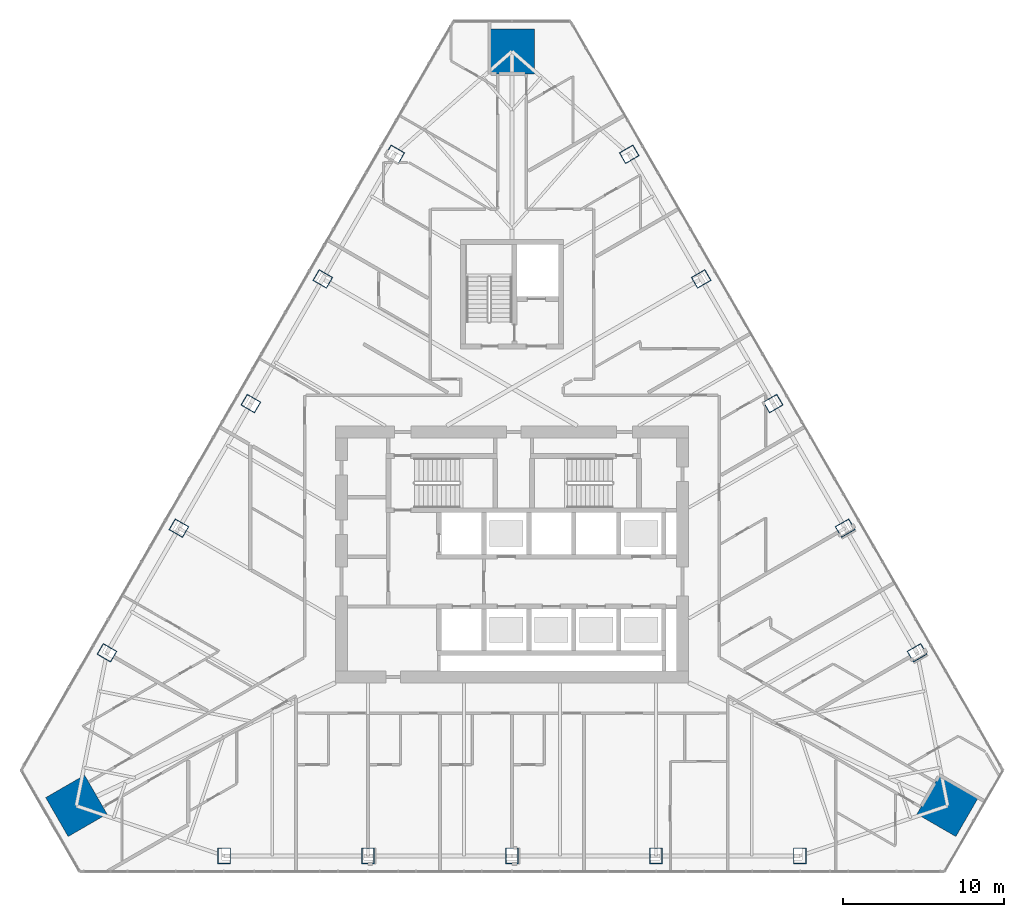
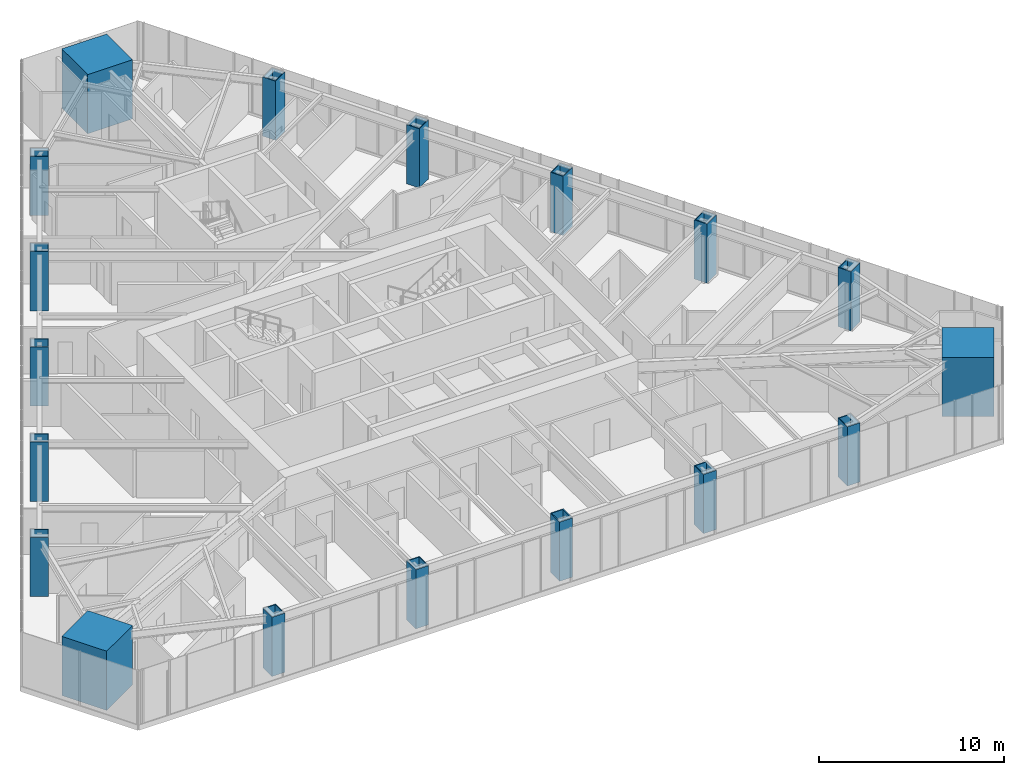
# One storey, part 1 of 26: 18 columns.
"""IFC4 building model written with IfcOpenShell, lengths in metres."""

import ifcopenshell
import ifcopenshell.guid

model = None  # the IFC model being written
_history = None  # IfcOwnerHistory: only IFC2X3 demands one
_inside = {}  # id of a spatial element -> (the spatial element, [elements in it])
_under = {}  # id of a project, library or spatial element -> (it, [spatial elements below it])
_declared = {}  # id of a project -> (the project, [libraries it declares])
_typed = {}  # id of a type object -> (the type object, [elements of that type])
_made_of = {}  # id of a material, layer set ... -> (it, [elements and type objects made of it])


def new_model(schema):
    """Start an empty IFC model of exactly this schema.

    Asked for "IFC4X3", IfcOpenShell would pick the latest addendum, in which some entities
    have other attributes; the version numbers below select the first issue.
    IFC2X3 requires an IfcOwnerHistory on every rooted entity: one is made here for all.
    """
    global model, _history
    if schema == "IFC4X3":
        model = ifcopenshell.file(schema_version=(4, 3, 0, 0))
    else:
        model = ifcopenshell.file(schema=schema)
    _inside.clear()
    _under.clear()
    _declared.clear()
    _typed.clear()
    _made_of.clear()
    _history = None
    if model.schema == "IFC2X3":
        org = make("IfcOrganization", Name="unknown")
        user = make(
            "IfcPersonAndOrganization",
            ThePerson=make("IfcPerson", FamilyName="unknown"),
            TheOrganization=org,
        )
        app = make(
            "IfcApplication",
            ApplicationDeveloper=org,
            Version="unknown",
            ApplicationFullName="unknown",
            ApplicationIdentifier="unknown",
        )
        _history = make(
            "IfcOwnerHistory",
            OwningUser=user,
            OwningApplication=app,
            ChangeAction="ADDED",
            CreationDate=0,
        )
    return model


def make(cls, **values):
    """One entity of the class cls with the attributes given. An attribute that is None is left unset."""
    return model.create_entity(
        cls, **{name: value for name, value in values.items() if value is not None}
    )


def rooted(cls, **values):
    """An entity with a GlobalId (a new one), such as an element, a storey or a relation."""
    return make(cls, GlobalId=ifcopenshell.guid.new(), OwnerHistory=_history, **values)


def si_unit(unit_type, name, prefix=None):
    """IfcSIUnit, for example si_unit("LENGTHUNIT", "METRE", prefix="MILLI")."""
    return make("IfcSIUnit", UnitType=unit_type, Prefix=prefix, Name=name)


def assignment(units):
    """IfcUnitAssignment: the units of a project."""
    return None if units is None else make("IfcUnitAssignment", Units=units)


def point(xyz):
    """IfcCartesianPoint."""
    return None if xyz is None else make("IfcCartesianPoint", Coordinates=xyz)


def direction(xyz):
    """IfcDirection."""
    return None if xyz is None else make("IfcDirection", DirectionRatios=xyz)


def frame(location, z_axis=None, x_axis=None):
    """IfcAxis2Placement3D, a coordinate frame: its origin and axes. An axis left out is left unset."""
    return make(
        "IfcAxis2Placement3D",
        Location=point(location),
        Axis=direction(z_axis),
        RefDirection=direction(x_axis),
    )


def frame_2d(location, x_axis=None):
    """IfcAxis2Placement2D, a coordinate frame in the plane: its origin and x axis."""
    return make(
        "IfcAxis2Placement2D", Location=point(location), RefDirection=direction(x_axis)
    )


def origin():
    """The frame at (0, 0, 0) with its axes left unset."""
    return frame((0.0, 0.0, 0.0))


def origin_2d():
    """The frame at (0, 0) in the plane with its x axis left unset."""
    return frame_2d((0.0, 0.0))


def place(relative_to, where):
    """IfcLocalPlacement: puts the frame where relative to a parent placement (None: the world)."""
    return make(
        "IfcLocalPlacement", PlacementRelTo=relative_to, RelativePlacement=where
    )


def context(
    kind, dimensions, precision=None, world=None, true_north=None, identifier=None
):
    """IfcGeometricRepresentationContext, for example the 3D "Model" context."""
    return make(
        "IfcGeometricRepresentationContext",
        ContextIdentifier=identifier,
        ContextType=kind,
        CoordinateSpaceDimension=dimensions,
        Precision=precision,
        WorldCoordinateSystem=world,
        TrueNorth=true_north,
    )


def subcontext(parent, identifier, kind, view, scale=None):
    """IfcGeometricRepresentationSubContext, for example "Body" below "Model"."""
    return make(
        "IfcGeometricRepresentationSubContext",
        ContextIdentifier=identifier,
        ContextType=kind,
        ParentContext=parent,
        TargetScale=scale,
        TargetView=view,
    )


def project(units=None, contexts=None):
    """IfcProject with its units and contexts."""
    return rooted(
        "IfcProject",
        Name="project",
        RepresentationContexts=contexts,
        UnitsInContext=assignment(units),
    )


def spatial(cls, under=None, at=None, **own):
    """A site, building, storey or space (cls), placed at a placement, below another one or the project."""
    s = rooted(cls, ObjectPlacement=at, **own)
    if under is not None:
        _under.setdefault(under.id(), (under, []))[1].append(s)
    return s


def profile(cls, at=None, kind="AREA", **sizes):
    """A parametric profile (cls). Its sizes go by their IFC names, for example OverallWidth=200.0."""
    return make(cls, ProfileType=kind, Position=at, **sizes)


def rectangle(**sizes):
    """IfcRectangleProfileDef."""
    return profile("IfcRectangleProfileDef", **sizes)


def hollow_rectangle(**sizes):
    """IfcRectangleHollowProfileDef."""
    return profile("IfcRectangleHollowProfileDef", **sizes)


def extrude(swept, where, along, depth):
    """IfcExtrudedAreaSolid: the profile swept, set in the frame where, extruded along a direction by depth."""
    return make(
        "IfcExtrudedAreaSolid",
        SweptArea=swept,
        Position=where,
        ExtrudedDirection=direction(along),
        Depth=depth,
    )


def shape(context_of_items, identifier, shape_type, items):
    """IfcShapeRepresentation: the items that make up one representation, for example the "Body"."""
    return make(
        "IfcShapeRepresentation",
        ContextOfItems=context_of_items,
        RepresentationIdentifier=identifier,
        RepresentationType=shape_type,
        Items=items,
    )


def material(Name=None, Category=None):
    """IfcMaterial."""
    return make("IfcMaterial", Name=Name, Category=Category)


def material_profile(
    of_material, cross_section, Name=None, Category=None, Priority=None
):
    """IfcMaterialProfile: a cross section and its material."""
    return make(
        "IfcMaterialProfile",
        Name=Name,
        Material=of_material,
        Profile=cross_section,
        Priority=Priority,
        Category=Category,
    )


def profile_set(profiles, Name=None, composite=None):
    """IfcMaterialProfileSet."""
    return make(
        "IfcMaterialProfileSet",
        Name=Name,
        MaterialProfiles=profiles,
        CompositeProfile=composite,
    )


def made_of(thing, what):
    """Note that an element or type object is made of a material, layer set ...; save() writes the relation."""
    if what is not None:
        _made_of.setdefault(what.id(), (what, []))[1].append(thing)
    return thing


def type_object(cls, material=None, **own):
    """A type object (cls), such as IfcWallType, which elements share."""
    return made_of(rooted(cls, **own), material)


def element(
    cls,
    number,
    at=None,
    inside=None,
    cuts=None,
    type_object=None,
    material=None,
    context=None,
    identifier="Body",
    shape_type=None,
    held_by="IfcProductDefinitionShape",
    body=None,
    shapes=None,
    **own,
):
    """One element of the class cls, such as IfcWall. Its Tag is "e" and its number.

    at: its placement. inside: the storey or other place that contains it. cuts: it is an
    opening in that element (IfcRelVoidsElement). A single representation is given by context,
    identifier, shape_type and body (its items); several are given by shapes. held_by: the class
    of the entity that holds the representations. save() writes the other relations.
    """
    e = rooted(cls, Tag="e%d" % number, ObjectPlacement=at, **own)
    if body is not None:
        shapes = [shape(context, identifier, shape_type, body)]
    if shapes is not None:
        e.Representation = make(held_by, Representations=shapes)
    if inside is not None:
        _inside.setdefault(inside.id(), (inside, []))[1].append(e)
    if cuts is not None:
        rooted(
            "IfcRelVoidsElement", RelatingBuildingElement=cuts, RelatedOpeningElement=e
        )
    if type_object is not None:
        _typed.setdefault(type_object.id(), (type_object, []))[1].append(e)
    return made_of(e, material)


def aggregate(whole, parts):
    """IfcRelAggregates: a whole, such as a stair, and the parts it consists of."""
    return rooted("IfcRelAggregates", RelatingObject=whole, RelatedObjects=parts)


def save(model, path):
    """Write the relations noted so far, then the file.

    IfcRelAggregates (storeys below a building ...), IfcRelContainedInSpatialStructure (elements
    in a storey), IfcRelDefinesByType, IfcRelAssociatesMaterial and IfcRelDeclares: one each for
    every whole, place, type object, material and project.
    """
    for whole, parts in _under.values():
        aggregate(whole, parts)
    for where, things in _inside.values():
        rooted(
            "IfcRelContainedInSpatialStructure",
            RelatedElements=things,
            RelatingStructure=where,
        )
    for kind, things in _typed.values():
        rooted("IfcRelDefinesByType", RelatedObjects=things, RelatingType=kind)
    for what, things in _made_of.values():
        rooted("IfcRelAssociatesMaterial", RelatedObjects=things, RelatingMaterial=what)
    for by, libraries in _declared.values():
        rooted("IfcRelDeclares", RelatingContext=by, RelatedDefinitions=libraries)
    model.write(path)


model = new_model("IFC4")

# Units and contexts
model_context = context("Model", 3, precision=1e-05, world=origin(), true_north=direction((0.0, 1.0)))
body_context = subcontext(model_context, "Body", "Model", "MODEL_VIEW")
ifc_project = project(units=[si_unit("LENGTHUNIT", "METRE"), si_unit("AREAUNIT", "SQUARE_METRE"), si_unit("VOLUMEUNIT", "CUBIC_METRE"), si_unit("PLANEANGLEUNIT", "RADIAN"), si_unit("MASSUNIT", "GRAM", prefix="KILO")], contexts=[model_context])

# Site, building, storey
site_placement = place(None, origin())
site = spatial("IfcSite", under=ifc_project, at=site_placement, CompositionType="ELEMENT")
building_placement = place(site_placement, origin())
building = spatial("IfcBuilding", under=site, at=building_placement, Name="Firuza Gate Tower and Library", CompositionType="ELEMENT")
storey_placement = place(building_placement, frame((0.0, 0.0, 175.300048828125)))
storey = spatial("IfcBuildingStorey", under=building, at=storey_placement, Name="L40", CompositionType="ELEMENT", Elevation=175.300048828125)

# Columns
ifc_material_1 = material(Name="Steel S355", Category="steel")
ifc_material_profile_1 = material_profile(ifc_material_1, hollow_rectangle(XDim=0.800048828125, YDim=1.0, WallThickness=0.050048828125, at=origin_2d()))
ifc_profile_set_1 = profile_set([ifc_material_profile_1], Name="Steel S355")
column_type_1 = type_object("IfcColumnType", Name="BU1000x800x50 Composite box column", PredefinedType="COLUMN", material=ifc_profile_set_1)
for number, where, z_axis, x_axis, name in (
    (1, (57.076171875, 56.220458984375, -0.00048828125), (0.0, 0.0, 1.0), (1.0, 0.0, 0.0), "Column S1 L40"),
    (2, (66.0380859375, 56.220458984375, -0.00048828125), (0.0, 0.0, 1.0), (1.0, 0.0, 0.0), "Column S2 L40"),
    (3, (75.0, 56.220458984375, -0.00048828125), (0.0, 0.0, 1.0), (1.0, 0.0, 0.0), "Column S3 L40"),
    (4, (83.9619140625, 56.220458984375, -0.00048828125), (0.0, 0.0, 1.0), (1.0, 0.0, 0.0), "Column S4 L40"),
    (5, (92.923828125, 56.220458984375, -0.00048828125), (0.0, 0.0, 1.0), (1.0, 0.0, 0.0), "Column S5 L40"),
    (6, (100.225341796875, 68.8671875, -0.00048828125), (0.0, 0.0, 1.0), (-0.5, 0.866025403784, 0.0), "Column E1 L40"),
    (7, (95.744384765625, 76.62841796875, -0.00048828125), (0.0, 0.0, 1.0), (-0.5, 0.866025403784, 0.0), "Column E2 L40"),
    (8, (91.263427734375, 84.3896484375, -0.00048828125), (0.0, 0.0, 1.0), (-0.5, 0.866025403784, 0.0), "Column E3 L40"),
    (9, (86.782470703125, 92.15087890625, -0.00048828125), (0.0, 0.0, 1.0), (-0.5, 0.866025403784, 0.0), "Column E4 L40"),
    (10, (82.301513671875, 99.912353515625, -0.00048828125), (0.0, 0.0, 1.0), (-0.5, 0.866025403784, 0.0), "Column E5 L40"),
    (11, (67.698486328125, 99.912353515625, -0.00048828125), (0.0, 0.0, 1.0), (-0.5, -0.866025403784, 0.0), "Column W1 L40"),
    (12, (63.217529296875, 92.15087890625, -0.00048828125), (0.0, 0.0, 1.0), (-0.5, -0.866025403784, 0.0), "Column W2 L40"),
    (13, (58.736572265625, 84.3896484375, -0.00048828125), (0.0, 0.0, 1.0), (-0.5, -0.866025403784, 0.0), "Column W3 L40"),
    (14, (54.255615234375, 76.62841796875, -0.00048828125), (0.0, 0.0, 1.0), (-0.5, -0.866025403784, 0.0), "Column W4 L40"),
    (15, (49.774658203125, 68.8671875, -0.00048828125), (0.0, 0.0, 1.0), (-0.5, -0.866025403784, 0.0), "Column W5 L40"),
):
    element("IfcColumn", number, at=place(storey_placement, frame(where, z_axis=z_axis, x_axis=x_axis)), inside=storey, type_object=column_type_1, Name=name, PredefinedType="COLUMN", context=body_context, shape_type="SweptSolid", body=[
        extrude(hollow_rectangle(XDim=0.800048828125, YDim=1.0, WallThickness=0.050048828125, at=origin_2d()), origin(), (0.0, 0.0, 1.0), 3.900390625),
    ])
ifc_material_2 = material(Name="Concrete C80/95", Category="concrete")
ifc_material_profile_2 = material_profile(ifc_material_2, rectangle(XDim=2.800048828125, YDim=2.800048828125, at=origin_2d()))
ifc_profile_set_2 = profile_set([ifc_material_profile_2], Name="Concrete C80/95")
column_type_2 = type_object("IfcColumnType", Name="Mega column 2800x2800 C80/95", PredefinedType="COLUMN", material=ifc_profile_set_2)
for number, where, z_axis, x_axis, name in (
    (16, (102.126953125, 59.338134765625, 0.0), (0.0, 0.0, 1.0), (0.5, 0.866025403784, 0.0), "Mega column SE L40"),
    (17, (75.0, 106.323486328125, 0.0), (0.0, 0.0, 1.0), (-1.0, 0.0, 0.0), "Mega column N L40"),
    (18, (47.873046875, 59.338134765625, 0.0), (0.0, 0.0, 1.0), (0.5, -0.866025403784, 0.0), "Mega column SW L40"),
):
    element("IfcColumn", number, at=place(storey_placement, frame(where, z_axis=z_axis, x_axis=x_axis)), inside=storey, type_object=column_type_2, Name=name, PredefinedType="COLUMN", context=body_context, shape_type="SweptSolid", body=[
        extrude(rectangle(XDim=2.800048828125, YDim=2.800048828125, at=origin_2d()), origin(), (0.0, 0.0, 1.0), 3.89990234375),
    ])

save(model, "model.ifc")
